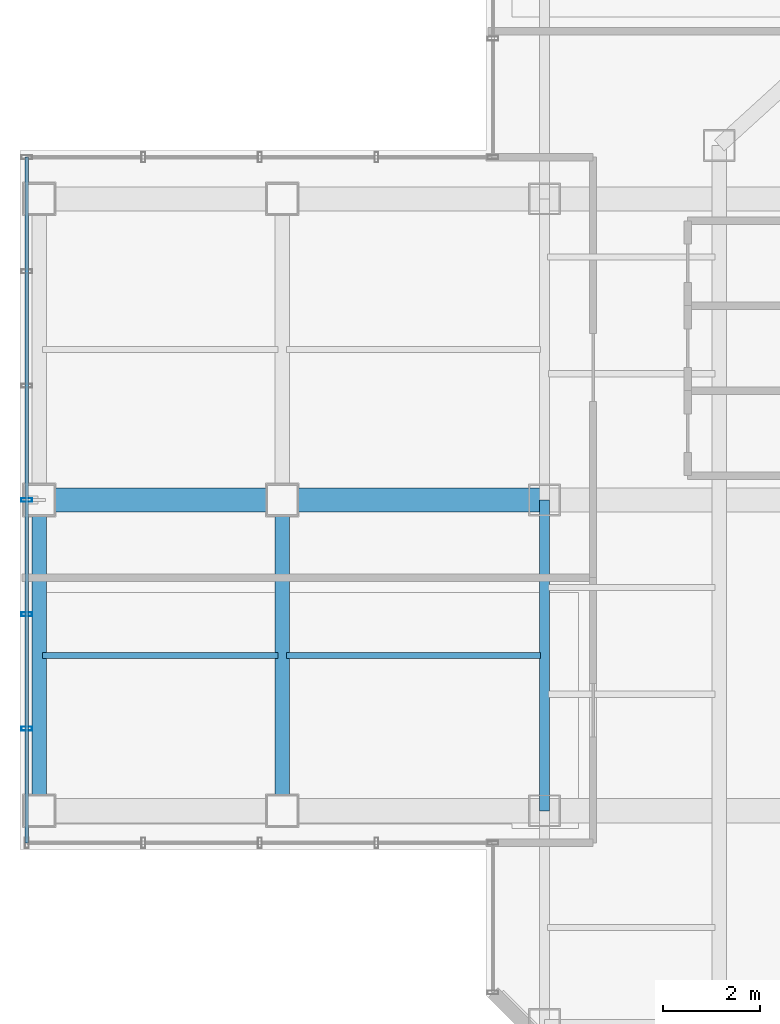
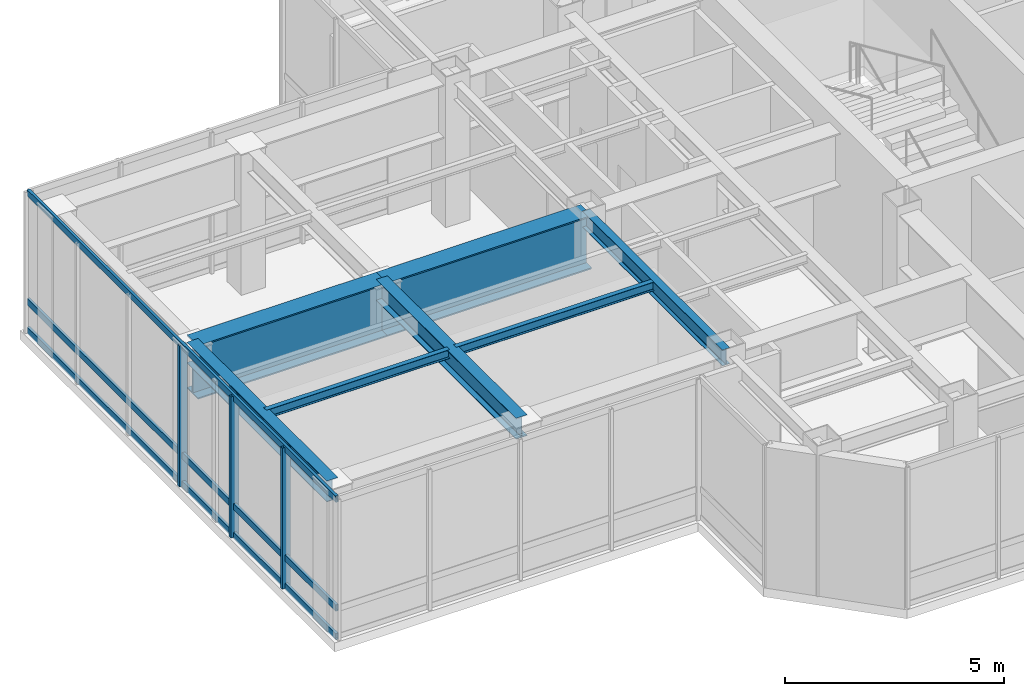
# One storey, part 5 of 22: 7 beams, 6 members, 1 element without a shape of its own.
"""IFC4 building model written with IfcOpenShell, lengths in metres."""

from ifc_helpers import new_model, si_unit, direction, frame, origin, origin_2d, place, context, subcontext, project, spatial, hollow_rectangle, i_section, extrude, material, layer, layer_set, material_profile, profile_set, type_object, element, aggregate, save


model = new_model("IFC4")

# Units and contexts
model_context = context("Model", 3, precision=1e-05, world=origin(), true_north=direction((0.0, 1.0)))
body_context = subcontext(model_context, "Body", "Model", "MODEL_VIEW")
ifc_project = project(units=[si_unit("LENGTHUNIT", "METRE"), si_unit("AREAUNIT", "SQUARE_METRE"), si_unit("VOLUMEUNIT", "CUBIC_METRE"), si_unit("PLANEANGLEUNIT", "RADIAN"), si_unit("MASSUNIT", "GRAM", prefix="KILO")], contexts=[model_context])

# Site, building, storey
site_placement = place(None, origin())
site = spatial("IfcSite", under=ifc_project, at=site_placement, CompositionType="ELEMENT")
building_placement = place(site_placement, origin())
building = spatial("IfcBuilding", under=site, at=building_placement, Name="Hatsunagi Terrace Concourse", CompositionType="ELEMENT")
storey_placement = place(building_placement, frame((0.0, 0.0, 261.75)))
storey = spatial("IfcBuildingStorey", under=building, at=storey_placement, Name="L69", CompositionType="ELEMENT", Elevation=261.75)

# Beams
ifc_material_1 = material(Name="Steel SN490B", Category="steel")
ifc_material_profile_1 = material_profile(ifc_material_1, i_section(OverallWidth=0.125, OverallDepth=0.25, WebThickness=0.006103515625, FlangeThickness=0.009033203125, FilletRadius=0.008056640625, at=origin_2d()), Name="H-250x125x6x9")
ifc_profile_set_1 = profile_set([ifc_material_profile_1], Name="Steel SN490B")
beam_type_1 = type_object("IfcBeamType", Name="CrownJoist_H_250x125", PredefinedType="JOIST", material=ifc_profile_set_1)
beam_1_placement = place(storey_placement, frame((19.114990234375, 32.800048828125, 3.824951171875), z_axis=(-1.0, 0.0, 0.0), x_axis=(0.0, -1.0, 0.0)))
element("IfcBeam", 1, at=beam_1_placement, inside=storey, type_object=beam_type_1, Name="Beam J-04 J-L69-SL1-328", PredefinedType="JOIST", context=body_context, shape_type="SweptSolid", body=[
    extrude(i_section(OverallWidth=0.125, OverallDepth=0.25, WebThickness=0.006103515625, FlangeThickness=0.009033203125, FilletRadius=0.008056640625, at=origin_2d()), origin(), (0.0, 0.0, 1.0), 5.22998046875),
])
beam_2_placement = place(storey_placement, frame((13.715087890625, 32.800048828125, 3.824951171875), z_axis=(-1.0, 0.0, 0.0), x_axis=(0.0, -1.0, 0.0)))
element("IfcBeam", 2, at=beam_2_placement, inside=storey, type_object=beam_type_1, Name="Beam J-04 J-L69-SL2-328", PredefinedType="JOIST", context=body_context, shape_type="SweptSolid", body=[
    extrude(i_section(OverallWidth=0.125, OverallDepth=0.25, WebThickness=0.006103515625, FlangeThickness=0.009033203125, FilletRadius=0.008056640625, at=origin_2d()), origin(), (0.0, 0.0, 1.0), 4.85009765625),
])

# Curtain wall, members
ifc_material_2 = material(Name="Anodised Aluminium Alloy 6063-T5", Category="aluminium")
ifc_layer = layer(ifc_material_2, 0.199951171875)
ifc_layer_set = layer_set([ifc_layer], Name="SkyLobbyAtrium_CW05")
curtain_wall_type = type_object("IfcCurtainWallType", Name="SkyLobbyAtrium_CW05", PredefinedType="NOTDEFINED", material=ifc_layer_set)
curtain_wall_placement = place(storey_placement, origin())
curtain_wall = element("IfcCurtainWall", 3, at=curtain_wall_placement, inside=storey, type_object=curtain_wall_type, Name="Unitised Curtain Wall CW-05 CW-L69-15", PredefinedType="NOTDEFINED")
ifc_material_3 = material(Name="Anodised Aluminium Alloy 6063-T5", Category="aluminium")
ifc_material_profile_2 = material_profile(ifc_material_3, hollow_rectangle(XDim=0.080078125, YDim=0.219970703125, WallThickness=0.0048828125, at=origin_2d()), Name="ALU-MUL-220x80x5")
ifc_profile_set_2 = profile_set([ifc_material_profile_2], Name="Anodised Aluminium Alloy 6063-T5")
member_type_1 = type_object("IfcMemberType", Name="CurtainWallMullion_Heavy_220x80", PredefinedType="MULLION", material=ifc_profile_set_2)
member_1_placement = place(storey_placement, frame((8.5400390625, 31.29296875, 0.0), z_axis=(0.0, 0.0, 1.0), x_axis=(0.0, 1.0, 0.0)))
member_1 = element("IfcMember", 4, at=member_1_placement, type_object=member_type_1, Name="Curtain Wall Mullion MUL-01", PredefinedType="MULLION", context=body_context, shape_type="SweptSolid", body=[
    extrude(hollow_rectangle(XDim=0.080078125, YDim=0.219970703125, WallThickness=0.0048828125, at=origin_2d()), origin(), (0.0, 0.0, 1.0), 3.93994140625),
])
member_2_placement = place(storey_placement, frame((8.5400390625, 33.64697265625, 0.0), z_axis=(0.0, 0.0, 1.0), x_axis=(0.0, 1.0, 0.0)))
member_2 = element("IfcMember", 5, at=member_2_placement, type_object=member_type_1, Name="Curtain Wall Mullion MUL-01", PredefinedType="MULLION", context=body_context, shape_type="SweptSolid", body=[
    extrude(hollow_rectangle(XDim=0.080078125, YDim=0.219970703125, WallThickness=0.0048828125, at=origin_2d()), origin(), (0.0, 0.0, 1.0), 3.93994140625),
])
member_3_placement = place(storey_placement, frame((8.5400390625, 36.0, 0.0), z_axis=(0.0, 0.0, 1.0), x_axis=(0.0, 1.0, 0.0)))
member_3 = element("IfcMember", 6, at=member_3_placement, type_object=member_type_1, Name="Curtain Wall Mullion MUL-01", PredefinedType="MULLION", context=body_context, shape_type="SweptSolid", body=[
    extrude(hollow_rectangle(XDim=0.080078125, YDim=0.219970703125, WallThickness=0.0048828125, at=origin_2d()), origin(), (0.0, 0.0, 1.0), 3.93994140625),
])
ifc_material_4 = material(Name="Anodised Aluminium Alloy 6063-T5", Category="aluminium")
ifc_material_profile_3 = material_profile(ifc_material_4, hollow_rectangle(XDim=0.070068359375, YDim=0.179931640625, WallThickness=0.00390625, at=origin_2d()), Name="ALU-TRN-180x70x4")
ifc_profile_set_3 = profile_set([ifc_material_profile_3], Name="Anodised Aluminium Alloy 6063-T5")
member_type_2 = type_object("IfcMemberType", Name="CurtainWallTransom_Heavy_180x70", PredefinedType="USERDEFINED", material=ifc_profile_set_3)
member_4_placement = place(storey_placement, frame((8.5400390625, 28.93994140625, 0.050048828125), z_axis=(0.0, 1.0, 0.0), x_axis=(-1.0, 0.0, 0.0)))
member_4 = element("IfcMember", 7, at=member_4_placement, type_object=member_type_2, Name="Curtain Wall Transom TRN-01", ObjectType="TRANSOM", PredefinedType="USERDEFINED", context=body_context, shape_type="SweptSolid", body=[
    extrude(hollow_rectangle(XDim=0.070068359375, YDim=0.179931640625, WallThickness=0.00390625, at=origin_2d()), origin(), (0.0, 0.0, 1.0), 14.1201171875),
])
member_5_placement = place(storey_placement, frame((8.5400390625, 28.93994140625, 0.85009765625), z_axis=(0.0, 1.0, 0.0), x_axis=(-1.0, 0.0, 0.0)))
member_5 = element("IfcMember", 8, at=member_5_placement, type_object=member_type_2, Name="Curtain Wall Transom TRN-01", ObjectType="TRANSOM", PredefinedType="USERDEFINED", context=body_context, shape_type="SweptSolid", body=[
    extrude(hollow_rectangle(XDim=0.070068359375, YDim=0.179931640625, WallThickness=0.00390625, at=origin_2d()), origin(), (0.0, 0.0, 1.0), 14.1201171875),
])
member_6_placement = place(storey_placement, frame((8.5400390625, 28.93994140625, 3.889892578125), z_axis=(0.0, 1.0, 0.0), x_axis=(-1.0, 0.0, 0.0)))
member_6 = element("IfcMember", 9, at=member_6_placement, type_object=member_type_2, Name="Curtain Wall Transom TRN-01", ObjectType="TRANSOM", PredefinedType="USERDEFINED", context=body_context, shape_type="SweptSolid", body=[
    extrude(hollow_rectangle(XDim=0.070068359375, YDim=0.179931640625, WallThickness=0.00390625, at=origin_2d()), origin(), (0.0, 0.0, 1.0), 14.1201171875),
])
aggregate(curtain_wall, [member_1, member_2, member_3, member_4, member_5, member_6])

# Beams
ifc_material_5 = material(Name="Steel SN490B", Category="steel")
ifc_material_profile_4 = material_profile(ifc_material_5, i_section(OverallWidth=0.300048828125, OverallDepth=0.587890625, WebThickness=0.011962890625, FlangeThickness=0.02001953125, FilletRadius=0.01806640625, at=origin_2d()), Name="H-588x300x12x20")
ifc_profile_set_4 = profile_set([ifc_material_profile_4], Name="Steel SN490B")
beam_type_2 = type_object("IfcBeamType", Name="OfficeHighGirder_H_588x300", PredefinedType="BEAM", material=ifc_profile_set_4)
for number, where, z_axis, x_axis, name in (
    (10, (13.800048828125, 29.60009765625, 3.656005859375), (0.0, 1.0, 0.0), (-1.0, 0.0, 0.0), "Beam G-06 SLT-L69-NS-1A"),
    (11, (8.800048828125, 29.60009765625, 3.656005859375), (0.0, 1.0, 0.0), (-1.0, 0.0, 0.0), "Beam G-06 SLT-L69-NS-2A"),
):
    element("IfcBeam", number, at=place(storey_placement, frame(where, z_axis=z_axis, x_axis=x_axis)), inside=storey, type_object=beam_type_2, Name=name, PredefinedType="BEAM", context=body_context, shape_type="SweptSolid", body=[
        extrude(i_section(OverallWidth=0.300048828125, OverallDepth=0.587890625, WebThickness=0.011962890625, FlangeThickness=0.02001953125, FilletRadius=0.01806640625, at=origin_2d()), origin(), (0.0, 0.0, 1.0), 6.39990234375),
    ])
ifc_material_6 = material(Name="Steel SN490B", Category="steel")
ifc_material_profile_5 = material_profile(ifc_material_6, i_section(OverallWidth=0.199951171875, OverallDepth=0.449951171875, WebThickness=0.009033203125, FlangeThickness=0.013916015625, FilletRadius=0.01611328125, at=origin_2d()), Name="H-450x200x9x14")
ifc_profile_set_5 = profile_set([ifc_material_profile_5], Name="Steel SN490B")
beam_type_3 = type_object("IfcBeamType", Name="PerimeterSpandrel_H_450x200", PredefinedType="SPANDREL", material=ifc_profile_set_5)
beam_3_placement = place(storey_placement, frame((19.199951171875, 29.60009765625, 3.72509765625), z_axis=(0.0, 1.0, 0.0), x_axis=(-1.0, 0.0, 0.0)))
element("IfcBeam", 12, at=beam_3_placement, inside=storey, type_object=beam_type_3, Name="Beam SP-02 BM-L69-NS-19-29", PredefinedType="SPANDREL", context=body_context, shape_type="SweptSolid", body=[
    extrude(i_section(OverallWidth=0.199951171875, OverallDepth=0.449951171875, WebThickness=0.009033203125, FlangeThickness=0.013916015625, FilletRadius=0.01611328125, at=origin_2d()), origin(), (0.0, 0.0, 1.0), 6.39990234375),
])
ifc_material_7 = material(Name="Steel SN490C", Category="steel")
ifc_material_profile_6 = material_profile(ifc_material_7, i_section(OverallWidth=0.5, OverallDepth=1.5, WebThickness=0.028076171875, FlangeThickness=0.0380859375, at=origin_2d()), Name="BH-1500x500x28x38")
ifc_profile_set_6 = profile_set([ifc_material_profile_6], Name="Steel SN490C")
beam_type_4 = type_object("IfcBeamType", Name="SkyLoungeTrussGirder_BH_1500x500x28x38", PredefinedType="USERDEFINED", material=ifc_profile_set_6)
beam_4_placement = place(storey_placement, frame((19.199951171875, 36.0, 3.199951171875), z_axis=(-1.0, 0.0, 0.0), x_axis=(0.0, -1.0, 0.0)))
element("IfcBeam", 13, at=beam_4_placement, inside=storey, type_object=beam_type_4, Name="Transfer girder SLT-01 SLT-L69-C1-2", ObjectType="TRANSFER_GIRDER", PredefinedType="USERDEFINED", context=body_context, shape_type="SweptSolid", body=[
    extrude(i_section(OverallWidth=0.5, OverallDepth=1.5, WebThickness=0.028076171875, FlangeThickness=0.0380859375, at=origin_2d()), origin(), (0.0, 0.0, 1.0), 5.39990234375),
])
beam_5_placement = place(storey_placement, frame((13.800048828125, 36.0, 3.199951171875), z_axis=(-1.0, 0.0, 0.0), x_axis=(0.0, -1.0, 0.0)))
element("IfcBeam", 14, at=beam_5_placement, inside=storey, type_object=beam_type_4, Name="Transfer girder SLT-01 SLT-L69-C2-2", ObjectType="TRANSFER_GIRDER", PredefinedType="USERDEFINED", context=body_context, shape_type="SweptSolid", body=[
    extrude(i_section(OverallWidth=0.5, OverallDepth=1.5, WebThickness=0.028076171875, FlangeThickness=0.0380859375, at=origin_2d()), origin(), (0.0, 0.0, 1.0), 5.0),
])

save(model, "model.ifc")
